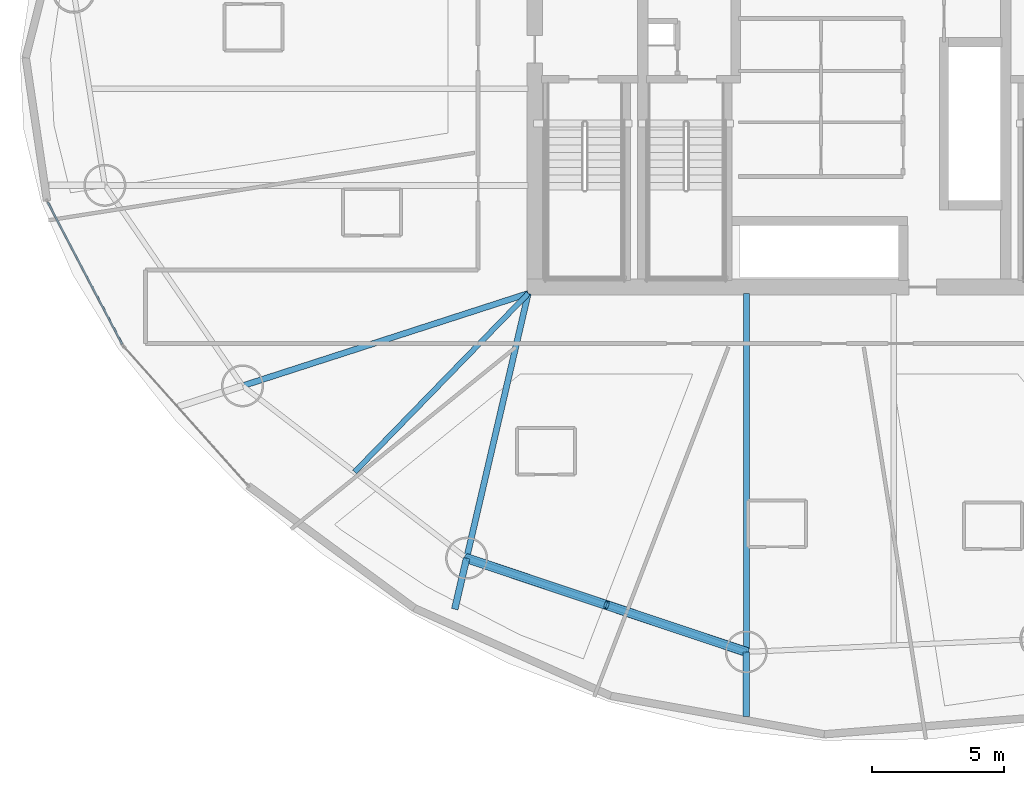
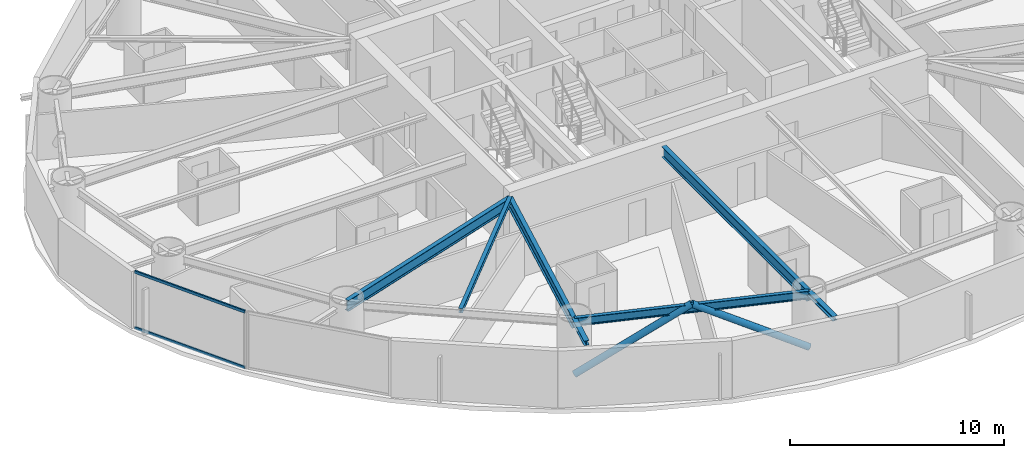
# One storey, part 3 of 25: 7 beams, 4 members, 1 element without a shape of its own.
"""IFC4 building model written with IfcOpenShell, lengths in metres."""

from ifc_helpers import new_model, si_unit, direction, frame, origin, origin_2d, place, context, subcontext, project, spatial, hollow_rectangle, hollow_circle, i_section, extrude, material, layer, layer_set, material_profile, profile_set, type_object, element, aggregate, save


model = new_model("IFC4")

# Units and contexts
model_context = context("Model", 3, precision=1e-05, world=origin(), true_north=direction((0.0, 1.0)))
body_context = subcontext(model_context, "Body", "Model", "MODEL_VIEW")
ifc_project = project(units=[si_unit("LENGTHUNIT", "METRE"), si_unit("AREAUNIT", "SQUARE_METRE"), si_unit("VOLUMEUNIT", "CUBIC_METRE"), si_unit("PLANEANGLEUNIT", "RADIAN"), si_unit("MASSUNIT", "GRAM", prefix="KILO")], contexts=[model_context])

# Site, building, storey
site_placement = place(None, origin())
site = spatial("IfcSite", under=ifc_project, at=site_placement, CompositionType="ELEMENT")
building_placement = place(site_placement, origin())
building = spatial("IfcBuilding", under=site, at=building_placement, Name="Bramvorn Convention Spire", CompositionType="ELEMENT")
storey_placement = place(building_placement, frame((0.0, 0.0, 48.39990234375)))
storey = spatial("IfcBuildingStorey", under=building, at=storey_placement, Name="L09", CompositionType="ELEMENT", Elevation=48.39990234375)

# Beams
ifc_material_1 = material(Name="Steel CSA G40.21 Grade 350 (350W)", Category="steel")
ifc_material_profile_1 = material_profile(ifc_material_1, i_section(OverallWidth=0.201904296875, OverallDepth=0.2470703125, WebThickness=0.00732421875, FlangeThickness=0.010986328125, FilletRadius=0.011962890625, at=origin_2d()))
ifc_profile_set_1 = profile_set([ifc_material_profile_1], Name="Steel CSA G40.21 Grade 350 (350W) - W250X49")
beam_type_1 = type_object("IfcBeamType", Name="BM-W250X49", PredefinedType="JOIST", material=ifc_profile_set_1)
beam_1_placement = place(storey_placement, frame((26.75, 18.550048828125, 3.126708984375), z_axis=(-0.697157225069, -0.716918268378, 0.0), x_axis=(0.716918268378, -0.697157225069, 0.0)))
element("IfcBeam", 1, at=beam_1_placement, inside=storey, type_object=beam_type_1, Name="L09 composite floor joist 11", PredefinedType="JOIST", context=body_context, shape_type="SweptSolid", body=[
    extrude(i_section(OverallWidth=0.201904296875, OverallDepth=0.2470703125, WebThickness=0.00732421875, FlangeThickness=0.010986328125, FilletRadius=0.011962890625, at=origin_2d()), origin(), (0.0, 0.0, 1.0), 9.463623046875),
])
ifc_material_profile_2 = material_profile(ifc_material_1, i_section(OverallWidth=0.25390625, OverallDepth=0.2529296875, WebThickness=0.008544921875, FlangeThickness=0.01416015625, FilletRadius=0.011962890625, at=origin_2d()))
ifc_profile_set_2 = profile_set([ifc_material_profile_2], Name="Steel CSA G40.21 Grade 350 (350W) - W250X73")
beam_type_2 = type_object("IfcBeamType", Name="BM-W250X73", PredefinedType="BEAM", material=ifc_profile_set_2)
beam_2_placement = place(storey_placement, frame((24.40966796875, 8.490966796875, 3.108642578125), z_axis=(-0.226597402394, -0.973988509803, 0.0), x_axis=(0.973988509803, -0.226597402394, 0.0)))
element("IfcBeam", 2, at=beam_2_placement, inside=storey, type_object=beam_type_2, Name="L09 slab-edge cantilever tip beam MC12", PredefinedType="BEAM", context=body_context, shape_type="SweptSolid", body=[
    extrude(i_section(OverallWidth=0.25390625, OverallDepth=0.2529296875, WebThickness=0.008544921875, FlangeThickness=0.01416015625, FilletRadius=0.011962890625, at=origin_2d()), origin(), (0.0, 0.0, 1.0), 1.989990234375),
])
beam_3_placement = place(storey_placement, frame((35.0390625, 4.93115234375, 3.108642578125), z_axis=(0.0, -1.0, 0.0), x_axis=(1.0, 0.0, 0.0)))
element("IfcBeam", 3, at=beam_3_placement, inside=storey, type_object=beam_type_2, Name="L09 slab-edge cantilever tip beam MC13", PredefinedType="BEAM", context=body_context, shape_type="SweptSolid", body=[
    extrude(i_section(OverallWidth=0.25390625, OverallDepth=0.2529296875, WebThickness=0.008544921875, FlangeThickness=0.01416015625, FilletRadius=0.011962890625, at=origin_2d()), origin(), (0.0, 0.0, 1.0), 2.45068359375),
])
ifc_material_profile_3 = material_profile(ifc_material_1, i_section(OverallWidth=0.194091796875, OverallDepth=0.468994140625, WebThickness=0.0126953125, FlangeThickness=0.0205078125, FilletRadius=0.01806640625, at=origin_2d()))
ifc_profile_set_3 = profile_set([ifc_material_profile_3], Name="Steel CSA G40.21 Grade 350 (350W) - W460X106")
beam_type_3 = type_object("IfcBeamType", Name="BM-W460X106", PredefinedType="SPANDREL", material=ifc_profile_set_3)
beam_4_placement = place(storey_placement, frame((24.40966796875, 8.490966796875, 3.015625), z_axis=(0.948235872727, -0.317566890078, 0.0), x_axis=(0.317566890078, 0.948235872727, 0.0)))
element("IfcBeam", 4, at=beam_4_placement, inside=storey, type_object=beam_type_3, Name="L09 mega-column ring beam 12", PredefinedType="SPANDREL", context=body_context, shape_type="SweptSolid", body=[
    extrude(i_section(OverallWidth=0.194091796875, OverallDepth=0.468994140625, WebThickness=0.0126953125, FlangeThickness=0.0205078125, FilletRadius=0.01806640625, at=origin_2d()), origin(), (0.0, 0.0, 1.0), 11.209716796875),
])
ifc_material_profile_4 = material_profile(ifc_material_1, i_section(OverallWidth=0.22998046875, OverallDepth=0.616943359375, WebThickness=0.01318359375, FlangeThickness=0.022216796875, FilletRadius=0.02001953125, at=origin_2d()))
ifc_profile_set_4 = profile_set([ifc_material_profile_4], Name="Steel CSA G40.21 Grade 350 (350W) - W610X140")
beam_type_4 = type_object("IfcBeamType", Name="BM-W610X140", PredefinedType="BEAM", material=ifc_profile_set_4)
beam_5_placement = place(storey_placement, frame((26.75, 18.550048828125, 2.941650390625), z_axis=(-0.951488933275, -0.307682969719, 0.0), x_axis=(0.307682969719, -0.951488933275, 0.0)))
element("IfcBeam", 5, at=beam_5_placement, inside=storey, type_object=beam_type_4, Name="L09 radial floor girder MC11", PredefinedType="BEAM", context=body_context, shape_type="SweptSolid", body=[
    extrude(i_section(OverallWidth=0.22998046875, OverallDepth=0.616943359375, WebThickness=0.01318359375, FlangeThickness=0.022216796875, FilletRadius=0.02001953125, at=origin_2d()), origin(), (0.0, 0.0, 1.0), 11.40869140625),
])
beam_6_placement = place(storey_placement, frame((26.75, 18.550048828125, 2.941650390625), z_axis=(-0.226606328522, -0.973986433106, 0.0), x_axis=(0.973986433106, -0.226606328522, 0.0)))
element("IfcBeam", 6, at=beam_6_placement, inside=storey, type_object=beam_type_4, Name="L09 radial floor girder MC12", PredefinedType="BEAM", context=body_context, shape_type="SweptSolid", body=[
    extrude(i_section(OverallWidth=0.22998046875, OverallDepth=0.616943359375, WebThickness=0.01318359375, FlangeThickness=0.022216796875, FilletRadius=0.02001953125, at=origin_2d()), origin(), (0.0, 0.0, 1.0), 10.32763671875),
])
beam_7_placement = place(storey_placement, frame((35.0390625, 18.550048828125, 2.941650390625), z_axis=(0.0, -1.0, 0.0), x_axis=(1.0, 0.0, 0.0)))
element("IfcBeam", 7, at=beam_7_placement, inside=storey, type_object=beam_type_4, Name="L09 radial floor girder MC13", PredefinedType="BEAM", context=body_context, shape_type="SweptSolid", body=[
    extrude(i_section(OverallWidth=0.22998046875, OverallDepth=0.616943359375, WebThickness=0.01318359375, FlangeThickness=0.022216796875, FilletRadius=0.02001953125, at=origin_2d()), origin(), (0.0, 0.0, 1.0), 13.618896484375),
])

# Curtain wall, members
ifc_material_2 = material(Name="Anodised Bronze Unitised Curtain Wall", Category="aluminium")
ifc_layer = layer(ifc_material_2, 0.179931640625)
ifc_layer_set = layer_set([ifc_layer], Name="Anodised Bronze Unitised Curtain Wall - CW-HTL-FRIT")
curtain_wall_type = type_object("IfcCurtainWallType", Name="CW-HTL-FRIT", PredefinedType="USERDEFINED", material=ifc_layer_set)
curtain_wall_placement = place(storey_placement, origin())
curtain_wall = element("IfcCurtainWall", 8, at=curtain_wall_placement, inside=storey, type_object=curtain_wall_type, Name="L09 fritted glass curtain wall 14", ObjectType="UNITISED CURTAIN WALL", PredefinedType="USERDEFINED")
ifc_material_3 = material(Name="Anodised Bronze Aluminium 6063-T6", Category="aluminium")
ifc_material_profile_5 = material_profile(ifc_material_3, hollow_rectangle(XDim=0.080078125, YDim=0.159912109375, WallThickness=0.00390625, InnerFilletRadius=0.0009765625, OuterFilletRadius=0.00390625, at=origin_2d()))
ifc_profile_set_5 = profile_set([ifc_material_profile_5], Name="Anodised Bronze Aluminium 6063-T6 - CWT80X160")
member_type_1 = type_object("IfcMemberType", Name="CW-TRN-150", PredefinedType="USERDEFINED", material=ifc_profile_set_5)
member_1_placement = place(storey_placement, frame((11.3212890625, 16.624267578125, 0.030029296875), z_axis=(-0.464394798238, 0.885628291875, 0.0), x_axis=(-0.885628291875, -0.464394798238, 0.0)))
member_1 = element("IfcMember", 9, at=member_1_placement, type_object=member_type_1, Name="CW2 transom 1.1", ObjectType="TRANSOM", PredefinedType="USERDEFINED", context=body_context, shape_type="SweptSolid", body=[
    extrude(hollow_rectangle(XDim=0.080078125, YDim=0.159912109375, WallThickness=0.00390625, InnerFilletRadius=0.0009765625, OuterFilletRadius=0.00390625, at=origin_2d()), origin(), (0.0, 0.0, 1.0), 6.092041015625),
])
member_2_placement = place(storey_placement, frame((11.3212890625, 16.624267578125, 3.22021484375), z_axis=(-0.464394798238, 0.885628291875, 0.0), x_axis=(-0.885628291875, -0.464394798238, 0.0)))
member_2 = element("IfcMember", 10, at=member_2_placement, type_object=member_type_1, Name="CW2 transom 1.2", ObjectType="TRANSOM", PredefinedType="USERDEFINED", context=body_context, shape_type="SweptSolid", body=[
    extrude(hollow_rectangle(XDim=0.080078125, YDim=0.159912109375, WallThickness=0.00390625, InnerFilletRadius=0.0009765625, OuterFilletRadius=0.00390625, at=origin_2d()), origin(), (0.0, 0.0, 1.0), 6.092041015625),
])
aggregate(curtain_wall, [member_1, member_2])

# Members
ifc_material_profile_6 = material_profile(ifc_material_1, hollow_circle(Radius=0.177734375, WallThickness=0.015869140625, at=origin_2d()))
ifc_profile_set_6 = profile_set([ifc_material_profile_6], Name="Steel CSA G40.21 Grade 350 (350W) - CHS356X16")
member_type_2 = type_object("IfcMemberType", Name="MBR-CHS356X16", PredefinedType="BRACE", material=ifc_profile_set_6)
for number, where, z_axis, x_axis, name in (
    (11, (24.40966796875, 8.490966796875, 0.0), (0.820300118259, -0.274739683138, 0.501623187756), (0.31758647294, 0.948229314146, 0.0), "L09 perimeter Gothic lancet brace 12A"),
    (12, (35.0390625, 4.93115234375, 0.0), (-0.820308610169, 0.274704844877, 0.501628380659), (-0.31754730681, -0.948242430994, 0.0), "L09 perimeter Gothic lancet brace 12B"),
):
    element("IfcMember", number, at=place(storey_placement, frame(where, z_axis=z_axis, x_axis=x_axis)), inside=storey, type_object=member_type_2, Name=name, PredefinedType="BRACE", context=body_context, shape_type="SweptSolid", body=[
        extrude(hollow_circle(Radius=0.177734375, WallThickness=0.015869140625, at=origin_2d()), origin(), (0.0, 0.0, 1.0), 6.47900390625),
    ])

save(model, "model.ifc")
